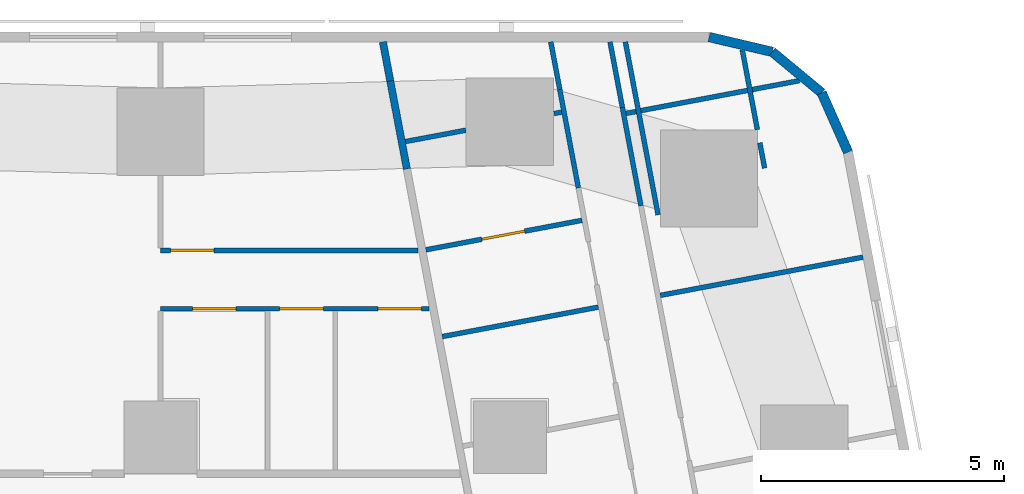
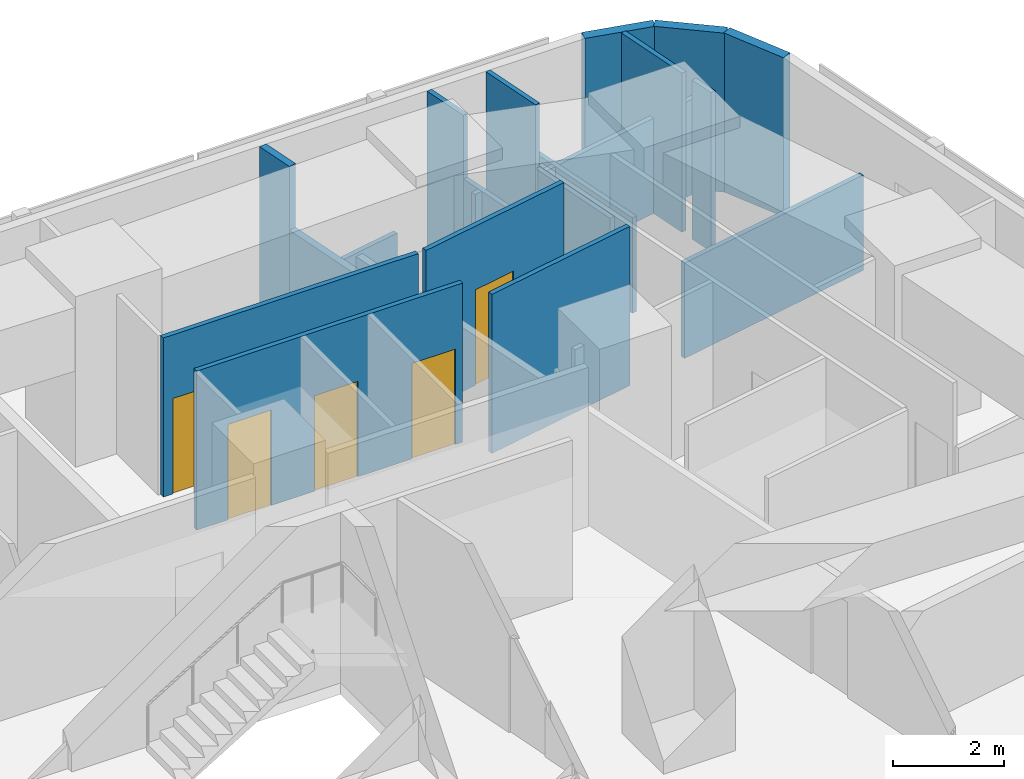
# One storey, part 11 of 15: 20 walls, 5 doors, 5 openings.
"""IFC4 building model written with IfcOpenShell, lengths in metres."""

from ifc_helpers import new_model, si_unit, direction, frame, frame_2d, origin, place, context, subcontext, project, spatial, rectangle, extrude, material, layer, layer_set, type_object, element, fill, save


model = new_model("IFC4")

# Units and contexts
model_context = context("Model", 3, precision=1e-05, world=origin(), true_north=direction((0.0, 1.0)))
body_context = subcontext(model_context, "Body", "Model", "MODEL_VIEW")
ifc_project = project(units=[si_unit("LENGTHUNIT", "METRE"), si_unit("AREAUNIT", "SQUARE_METRE"), si_unit("VOLUMEUNIT", "CUBIC_METRE"), si_unit("PLANEANGLEUNIT", "RADIAN"), si_unit("MASSUNIT", "GRAM", prefix="KILO")], contexts=[model_context])

# Site, building, storey
site_placement = place(None, origin())
site = spatial("IfcSite", under=ifc_project, at=site_placement, CompositionType="ELEMENT")
building_placement = place(site_placement, origin())
building = spatial("IfcBuilding", under=site, at=building_placement, Name="Sheger Commons Tower", CompositionType="ELEMENT")
storey_placement = place(building_placement, frame((0.0, 0.0, 154.550048828125)))
storey = spatial("IfcBuildingStorey", under=building, at=storey_placement, Name="L39", CompositionType="ELEMENT", Elevation=154.550048828125)

# Walls
ifc_material_1 = material(Name="Hollow concrete block masonry, skimmed both sides", Category="masonry")
ifc_layer_1 = layer(ifc_material_1, 0.14990234375)
ifc_layer_set_1 = layer_set([ifc_layer_1], Name="CORRIDOR WALL 150")
wall_type_1 = type_object("IfcWallType", Name="CORRIDOR WALL 150", PredefinedType="SOLIDWALL", material=ifc_layer_set_1)
wall_1_placement = place(storey_placement, frame((33.382080078125, 45.64990234375, 0.0), z_axis=(0.0, 0.0, 1.0), x_axis=(0.185169202764, -0.982706653253, 0.0)))
element("IfcWall", 1, at=wall_1_placement, inside=storey, type_object=wall_type_1, Name="Corridor wall L39", PredefinedType="SOLIDWALL", context=body_context, shape_type="SweptSolid", body=[
    extrude(rectangle(XDim=0.820068359375, YDim=0.14990234375, at=frame_2d((0.41015625, 0.0))), origin(), (0.0, 0.0, 1.0), 3.5),
])
wall_2_placement = place(storey_placement, frame((33.533935546875, 44.843994140625, 0.0), z_axis=(0.0, 0.0, 1.0), x_axis=(0.185708872674, -0.982604811005, 0.0)))
element("IfcWall", 2, at=wall_2_placement, inside=storey, type_object=wall_type_1, Name="Corridor wall L39", PredefinedType="SOLIDWALL", context=body_context, shape_type="SweptSolid", body=[
    extrude(rectangle(XDim=1.84716796875, YDim=0.14990234375, at=frame_2d((0.923583984375, 0.0))), origin(), (0.0, 0.0, 1.0), 2.099853515625),
])
ifc_material_2 = material(Name="Rendered concrete block masonry, dark grey", Category="masonry")
ifc_layer_2 = layer(ifc_material_2, 0.199951171875)
ifc_layer_set_2 = layer_set([ifc_layer_2], Name="FACADE WALL 200")
wall_type_2 = type_object("IfcWallType", Name="FACADE WALL 200", PredefinedType="SOLIDWALL", material=ifc_layer_set_2)
wall_3_placement = place(storey_placement, frame((42.969970703125, 43.376953125, 0.0), z_axis=(0.0, 0.0, 1.0), x_axis=(-0.406002956633, 0.913871762998, 0.0)))
element("IfcWall", 3, at=wall_3_placement, inside=storey, type_object=wall_type_2, Name="Facade wall L39", PredefinedType="SOLIDWALL", context=body_context, shape_type="SweptSolid", body=[
    extrude(rectangle(XDim=1.33740234375, YDim=0.199951171875, at=frame_2d((0.668701171875, 0.0))), origin(), (0.0, 0.0, 1.0), 3.5),
])
wall_4_placement = place(storey_placement, frame((42.427001953125, 44.59912109375, 0.0), z_axis=(0.0, 0.0, 1.0), x_axis=(-0.770091412544, 0.637933551655, 0.0)))
element("IfcWall", 4, at=wall_4_placement, inside=storey, type_object=wall_type_2, Name="Facade wall L39", PredefinedType="SOLIDWALL", context=body_context, shape_type="SweptSolid", body=[
    extrude(rectangle(XDim=1.324462890625, YDim=0.199951171875, at=frame_2d((0.662109375, 0.0))), origin(), (0.0, 0.0, 1.0), 3.5),
])
wall_5_placement = place(storey_placement, frame((41.406982421875, 45.444091796875, 0.0), z_axis=(0.0, 0.0, 1.0), x_axis=(-0.973453091607, 0.228886606077, 0.0)))
element("IfcWall", 5, at=wall_5_placement, inside=storey, type_object=wall_type_2, Name="Facade wall L39", PredefinedType="SOLIDWALL", context=body_context, shape_type="SweptSolid", body=[
    extrude(rectangle(XDim=1.33642578125, YDim=0.199951171875, at=frame_2d((0.668212890625, 0.0))), origin(), (0.0, 0.0, 1.0), 3.5),
])
ifc_material_3 = material(Name="Gypsum board on steel studs", Category="steel")
ifc_layer_3 = layer(ifc_material_3, 0.10009765625)
ifc_layer_set_3 = layer_set([ifc_layer_3], Name="PARTITION 100")
wall_type_3 = type_object("IfcWallType", Name="PARTITION 100", PredefinedType="PARTITIONING", material=ifc_layer_set_3)
wall_6_placement = place(storey_placement, frame((39.053955078125, 42.0849609375, 0.0), z_axis=(0.0, 0.0, 1.0), x_axis=(-0.185791584218, 0.982589175207, 0.0)))
element("IfcWall", 6, at=wall_6_placement, inside=storey, type_object=wall_type_3, Name="Partition L39", PredefinedType="PARTITIONING", context=body_context, shape_type="SweptSolid", body=[
    extrude(rectangle(XDim=3.628173828125, YDim=0.10009765625, at=frame_2d((1.81396484375, 0.0))), origin(), (0.0, 0.0, 1.0), 2.099853515625),
])
wall_7_placement = place(storey_placement, frame((40.7890625, 45.487060546875, 0.0), z_axis=(0.0, 0.0, 1.0), x_axis=(0.185572395193, -0.982630594955, 0.0)))
element("IfcWall", 7, at=wall_7_placement, inside=storey, type_object=wall_type_3, Name="Partition L39", PredefinedType="PARTITIONING", context=body_context, shape_type="SweptSolid", body=[
    extrude(rectangle(XDim=1.676025390625, YDim=0.10009765625, at=frame_2d((0.837890625, 0.0))), origin(), (0.0, 0.0, 1.0), 3.5),
])
wall_8_placement = place(storey_placement, frame((41.15087890625, 43.569091796875, 0.0), z_axis=(0.0, 0.0, 1.0), x_axis=(0.186563073924, -0.982442985342, 0.0)))
element("IfcWall", 8, at=wall_8_placement, inside=storey, type_object=wall_type_3, Name="Partition L39", PredefinedType="PARTITIONING", context=body_context, shape_type="SweptSolid", body=[
    extrude(rectangle(XDim=0.53125, YDim=0.10009765625, at=frame_2d((0.265625, 0.0))), origin(), (0.0, 0.0, 1.0), 3.5),
])
wall_9_placement = place(storey_placement, frame((38.06298828125, 45.64990234375, 0.0), z_axis=(0.0, 0.0, 1.0), x_axis=(0.185456359766, -0.982652501458, 0.0)))
element("IfcWall", 9, at=wall_9_placement, inside=storey, type_object=wall_type_3, Name="Partition L39", PredefinedType="PARTITIONING", context=body_context, shape_type="SweptSolid", body=[
    extrude(rectangle(XDim=1.375732421875, YDim=0.10009765625, at=frame_2d((0.68798828125, 0.0))), origin(), (0.0, 0.0, 1.0), 3.5),
])
wall_10_placement = place(storey_placement, frame((38.318115234375, 44.298095703125, 0.0), z_axis=(0.0, 0.0, 1.0), x_axis=(0.185481135188, -0.982647825261, 0.0)))
element("IfcWall", 10, at=wall_10_placement, inside=storey, type_object=wall_type_3, Name="Partition L39", PredefinedType="PARTITIONING", context=body_context, shape_type="SweptSolid", body=[
    extrude(rectangle(XDim=2.06396484375, YDim=0.10009765625, at=frame_2d((1.031982421875, 0.0))), origin(), (0.0, 0.0, 1.0), 2.099853515625),
])
wall_11_placement = place(storey_placement, frame((36.842041015625, 45.64990234375, 0.0), z_axis=(0.0, 0.0, 1.0), x_axis=(0.185789875365, -0.982589498322, 0.0)))
element("IfcWall", 11, at=wall_11_placement, inside=storey, type_object=wall_type_3, Name="Partition L39", PredefinedType="PARTITIONING", context=body_context, shape_type="SweptSolid", body=[
    extrude(rectangle(XDim=1.001220703125, YDim=0.10009765625, at=frame_2d((0.50048828125, 0.0))), origin(), (0.0, 0.0, 1.0), 3.5),
])
wall_12_placement = place(storey_placement, frame((37.028076171875, 44.666015625, 0.0), z_axis=(0.0, 0.0, 1.0), x_axis=(0.185481135188, -0.982647825261, 0.0)))
element("IfcWall", 12, at=wall_12_placement, inside=storey, type_object=wall_type_3, Name="Partition L39", PredefinedType="PARTITIONING", context=body_context, shape_type="SweptSolid", body=[
    extrude(rectangle(XDim=2.06396484375, YDim=0.10009765625, at=frame_2d((1.031982421875, 0.0))), origin(), (0.0, 0.0, 1.0), 2.099853515625),
])
wall_13_placement = place(storey_placement, frame((41.968017578125, 44.85009765625, 0.0), z_axis=(0.0, 0.0, 1.0), x_axis=(-0.98258614234, -0.185807623311, 0.0)))
element("IfcWall", 13, at=wall_13_placement, inside=storey, type_object=wall_type_3, Name="Partition L39", PredefinedType="PARTITIONING", context=body_context, shape_type="SweptSolid", body=[
    extrude(rectangle(XDim=3.638427734375, YDim=0.10009765625, at=frame_2d((1.8193359375, 0.0))), origin(), (0.0, 0.0, 1.0), 2.099853515625),
])
wall_14_placement = place(storey_placement, frame((43.277099609375, 41.2119140625, 0.0), z_axis=(0.0, 0.0, 1.0), x_axis=(-0.982665405803, -0.185387972203, 0.0)))
element("IfcWall", 14, at=wall_14_placement, inside=storey, type_object=wall_type_3, Name="Partition L39", PredefinedType="PARTITIONING", context=body_context, shape_type="SweptSolid", body=[
    extrude(rectangle(XDim=4.249755859375, YDim=0.10009765625, at=frame_2d((2.125, 0.0))), origin(), (0.0, 0.0, 1.0), 2.099853515625),
])
wall_15_placement = place(storey_placement, frame((37.06494140625, 44.200927734375, 0.0), z_axis=(0.0, 0.0, 1.0), x_axis=(-0.983168876381, -0.182699098288, 0.0)))
element("IfcWall", 15, at=wall_15_placement, inside=storey, type_object=wall_type_3, Name="Partition L39", PredefinedType="PARTITIONING", context=body_context, shape_type="SweptSolid", body=[
    extrude(rectangle(XDim=0.15771484375, YDim=0.10009765625, at=frame_2d((0.078857421875, 0.0))), origin(), (0.0, 0.0, 1.0), 2.099853515625),
])
wall_16_placement = place(storey_placement, frame((35.090087890625, 43.827880859375, 0.0), z_axis=(0.0, 0.0, 1.0), x_axis=(-0.982758384778, -0.184894448668, 0.0)))
element("IfcWall", 16, at=wall_16_placement, inside=storey, type_object=wall_type_3, Name="Partition L39", PredefinedType="PARTITIONING", context=body_context, shape_type="SweptSolid", body=[
    extrude(rectangle(XDim=1.264892578125, YDim=0.10009765625, at=frame_2d((0.63232421875, 0.0))), origin(), (0.0, 0.0, 1.0), 2.099853515625),
])
wall_17_placement = place(storey_placement, frame((37.822998046875, 40.181884765625, 0.0), z_axis=(0.0, 0.0, 1.0), x_axis=(-0.982664729897, -0.18539155487, 0.0)))
element("IfcWall", 17, at=wall_17_placement, inside=storey, type_object=wall_type_3, Name="Partition L39", PredefinedType="PARTITIONING", context=body_context, shape_type="SweptSolid", body=[
    extrude(rectangle(XDim=3.273681640625, YDim=0.10009765625, at=frame_2d((1.63671875, 0.0))), origin(), (0.0, 0.0, 1.0), 3.5),
])

# Wall, opening, door
wall_18_placement = place(storey_placement, frame((37.486083984375, 41.970947265625, 0.0), z_axis=(0.0, 0.0, 1.0), x_axis=(-0.982620626894, -0.185625169636, 0.0)))
wall_18 = element("IfcWall", 18, at=wall_18_placement, inside=storey, type_object=wall_type_3, Name="Partition L39", PredefinedType="PARTITIONING", context=body_context, shape_type="SweptSolid", body=[
    extrude(rectangle(XDim=3.27490234375, YDim=0.10009765625, at=frame_2d((1.637451171875, 0.0))), origin(), (0.0, 0.0, 1.0), 3.5),
])
opening_1_placement = place(wall_18_placement, frame((1.200927734375, 0.0, 0.0)))
opening_1 = element("IfcOpeningElement", 19, at=opening_1_placement, cuts=wall_18, Name="Opening D2", PredefinedType="OPENING", context=body_context, shape_type="SweptSolid", body=[
    extrude(rectangle(XDim=0.89990234375, YDim=2.10009765625, at=frame_2d((0.449951171875, 1.050048828125))), frame((0.0, 0.06005859375, 0.0), z_axis=(0.0, -1.0, 0.0), x_axis=(1.0, 0.0, 0.0)), (0.0, 0.0, 1.0), 0.1201171875),
])
ifc_material_4 = material(Name="Timber door set", Category="wood")
door_type = type_object("IfcDoorType", Name="INTERNAL DOOR 900x2100", OperationType="NOTDEFINED", PredefinedType="DOOR", material=ifc_material_4)
door_1_placement = place(opening_1_placement, origin())
door_1 = element("IfcDoor", 20, at=door_1_placement, inside=storey, type_object=door_type, Name="Store door", OperationType="SINGLE_SWING_LEFT", OverallHeight=2.10009765625, OverallWidth=0.89990234375, PredefinedType="DOOR", context=body_context, shape_type="SweptSolid", body=[
    extrude(rectangle(XDim=0.89990234375, YDim=2.10009765625, at=frame_2d((0.449951171875, 1.050048828125))), frame((0.0, 0.02490234375, 0.0), z_axis=(0.0, -1.0, 0.0), x_axis=(1.0, 0.0, 0.0)), (0.0, 0.0, 1.0), 0.050048828125),
])
fill(opening_1, door_1)

wall_19_placement = place(storey_placement, frame((28.800048828125, 41.35009765625, 0.0), z_axis=(0.0, 0.0, 1.0), x_axis=(1.0, 0.0, 0.0)))
wall_19 = element("IfcWall", 21, at=wall_19_placement, inside=storey, type_object=wall_type_3, Name="Partition L39", PredefinedType="PARTITIONING", context=body_context, shape_type="SweptSolid", body=[
    extrude(rectangle(XDim=5.307861328125, YDim=0.10009765625, at=frame_2d((2.65380859375, 0.0))), origin(), (0.0, 0.0, 1.0), 3.5),
])
opening_2_placement = place(wall_19_placement, frame((0.199951171875, 0.0, 0.0)))
opening_2 = element("IfcOpeningElement", 22, at=opening_2_placement, cuts=wall_19, Name="Opening D2", PredefinedType="OPENING", context=body_context, shape_type="SweptSolid", body=[
    extrude(rectangle(XDim=0.89990234375, YDim=2.10009765625, at=frame_2d((0.449951171875, 1.050048828125))), frame((0.0, 0.06005859375, 0.0), z_axis=(0.0, -1.0, 0.0), x_axis=(1.0, 0.0, 0.0)), (0.0, 0.0, 1.0), 0.1201171875),
])
door_2_placement = place(opening_2_placement, origin())
door_2 = element("IfcDoor", 23, at=door_2_placement, inside=storey, type_object=door_type, Name="Main bedroom door", OperationType="SINGLE_SWING_LEFT", OverallHeight=2.10009765625, OverallWidth=0.89990234375, PredefinedType="DOOR", context=body_context, shape_type="SweptSolid", body=[
    extrude(rectangle(XDim=0.89990234375, YDim=2.10009765625, at=frame_2d((0.449951171875, 1.050048828125))), frame((0.0, 0.02490234375, 0.0), z_axis=(0.0, -1.0, 0.0), x_axis=(1.0, 0.0, 0.0)), (0.0, 0.0, 1.0), 0.050048828125),
])
fill(opening_2, door_2)

# Wall, openings, doors
wall_20_placement = place(storey_placement, frame((28.800048828125, 40.14990234375, 0.0), z_axis=(0.0, 0.0, 1.0), x_axis=(1.0, 0.0, 0.0)))
wall_20 = element("IfcWall", 24, at=wall_20_placement, inside=storey, type_object=wall_type_3, Name="Partition L39", PredefinedType="PARTITIONING", context=body_context, shape_type="SweptSolid", body=[
    extrude(rectangle(XDim=5.534912109375, YDim=0.10009765625, at=frame_2d((2.767578125, 0.0))), origin(), (0.0, 0.0, 1.0), 3.5),
])
opening_3_placement = place(wall_20_placement, frame((0.655029296875, 0.0, 0.0)))
opening_3 = element("IfcOpeningElement", 25, at=opening_3_placement, cuts=wall_20, Name="Opening D2", PredefinedType="OPENING", context=body_context, shape_type="SweptSolid", body=[
    extrude(rectangle(XDim=0.89990234375, YDim=2.10009765625, at=frame_2d((0.449951171875, 1.050048828125))), frame((0.0, 0.06005859375, 0.0), z_axis=(0.0, -1.0, 0.0), x_axis=(1.0, 0.0, 0.0)), (0.0, 0.0, 1.0), 0.1201171875),
])
opening_4_placement = place(wall_20_placement, frame((4.48095703125, 0.0, 0.0)))
opening_4 = element("IfcOpeningElement", 26, at=opening_4_placement, cuts=wall_20, Name="Opening D2", PredefinedType="OPENING", context=body_context, shape_type="SweptSolid", body=[
    extrude(rectangle(XDim=0.89990234375, YDim=2.10009765625, at=frame_2d((0.449951171875, 1.050048828125))), frame((0.0, 0.06005859375, 0.0), z_axis=(0.0, -1.0, 0.0), x_axis=(1.0, 0.0, 0.0)), (0.0, 0.0, 1.0), 0.1201171875),
])
opening_5_placement = place(wall_20_placement, frame((2.455078125, 0.0, 0.0)))
opening_5 = element("IfcOpeningElement", 27, at=opening_5_placement, cuts=wall_20, Name="Opening D2", PredefinedType="OPENING", context=body_context, shape_type="SweptSolid", body=[
    extrude(rectangle(XDim=0.89990234375, YDim=2.10009765625, at=frame_2d((0.449951171875, 1.050048828125))), frame((0.0, 0.06005859375, 0.0), z_axis=(0.0, -1.0, 0.0), x_axis=(1.0, 0.0, 0.0)), (0.0, 0.0, 1.0), 0.1201171875),
])
door_3_placement = place(opening_3_placement, origin())
door_3 = element("IfcDoor", 28, at=door_3_placement, inside=storey, type_object=door_type, Name="Bathroom door", OperationType="SINGLE_SWING_RIGHT", OverallHeight=2.10009765625, OverallWidth=0.89990234375, PredefinedType="DOOR", context=body_context, shape_type="SweptSolid", body=[
    extrude(rectangle(XDim=0.89990234375, YDim=2.10009765625, at=frame_2d((0.449951171875, 1.050048828125))), frame((0.0, 0.02490234375, 0.0), z_axis=(0.0, -1.0, 0.0), x_axis=(1.0, 0.0, 0.0)), (0.0, 0.0, 1.0), 0.050048828125),
])
fill(opening_3, door_3)
door_4_placement = place(opening_4_placement, origin())
door_4 = element("IfcDoor", 29, at=door_4_placement, inside=storey, type_object=door_type, Name="Laundry room door", OperationType="SINGLE_SWING_LEFT", OverallHeight=2.10009765625, OverallWidth=0.89990234375, PredefinedType="DOOR", context=body_context, shape_type="SweptSolid", body=[
    extrude(rectangle(XDim=0.89990234375, YDim=2.10009765625, at=frame_2d((0.449951171875, 1.050048828125))), frame((0.0, 0.02490234375, 0.0), z_axis=(0.0, -1.0, 0.0), x_axis=(1.0, 0.0, 0.0)), (0.0, 0.0, 1.0), 0.050048828125),
])
fill(opening_4, door_4)
door_5_placement = place(opening_5_placement, origin())
door_5 = element("IfcDoor", 30, at=door_5_placement, inside=storey, type_object=door_type, Name="Store door", OperationType="SINGLE_SWING_LEFT", OverallHeight=2.10009765625, OverallWidth=0.89990234375, PredefinedType="DOOR", context=body_context, shape_type="SweptSolid", body=[
    extrude(rectangle(XDim=0.89990234375, YDim=2.10009765625, at=frame_2d((0.449951171875, 1.050048828125))), frame((0.0, 0.02490234375, 0.0), z_axis=(0.0, -1.0, 0.0), x_axis=(1.0, 0.0, 0.0)), (0.0, 0.0, 1.0), 0.050048828125),
])
fill(opening_5, door_5)

save(model, "model.ifc")
